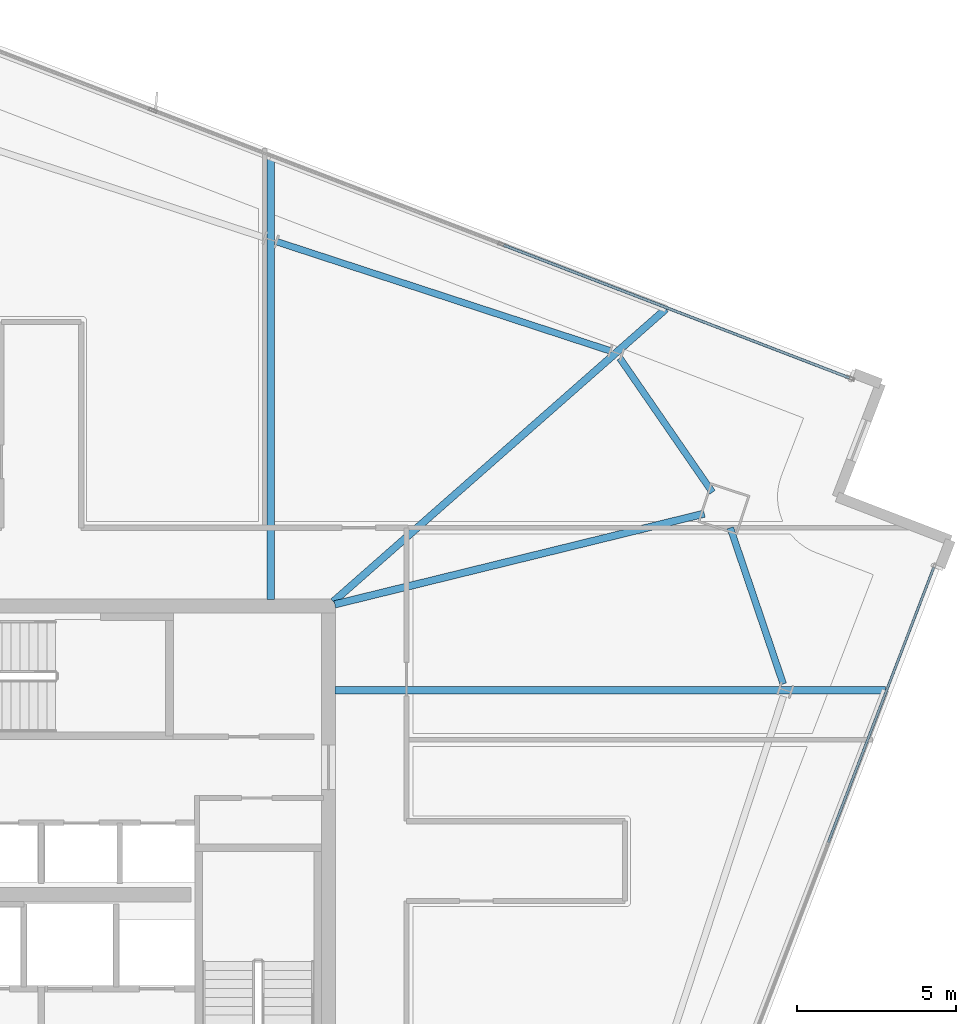
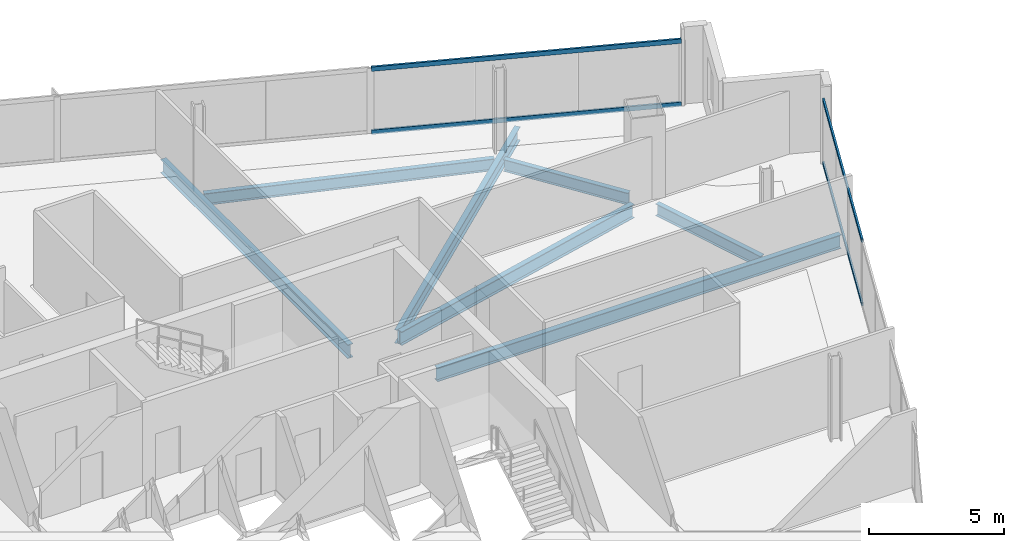
# One storey, part 15 of 27: 7 beams, 4 members, 2 elements without a shape of their own.
"""IFC4 building model written with IfcOpenShell, lengths in metres."""

from ifc_helpers import new_model, si_unit, direction, frame, origin, origin_2d, place, context, subcontext, project, spatial, hollow_rectangle, i_section, extrude, material, material_profile, profile_set, type_object, element, aggregate, save


model = new_model("IFC4")

# Units and contexts
model_context = context("Model", 3, precision=1e-05, world=origin(), true_north=direction((0.0, 1.0)))
body_context = subcontext(model_context, "Body", "Model", "MODEL_VIEW")
ifc_project = project(units=[si_unit("LENGTHUNIT", "METRE"), si_unit("AREAUNIT", "SQUARE_METRE"), si_unit("VOLUMEUNIT", "CUBIC_METRE"), si_unit("PLANEANGLEUNIT", "RADIAN"), si_unit("MASSUNIT", "GRAM", prefix="KILO")], contexts=[model_context])

# Site, building, storey
site_placement = place(None, origin())
site = spatial("IfcSite", under=ifc_project, at=site_placement, CompositionType="ELEMENT")
building_placement = place(site_placement, origin())
building = spatial("IfcBuilding", under=site, at=building_placement, Name="Haldenkirk Collegiate Tower", CompositionType="ELEMENT")
storey_placement = place(building_placement, frame((0.0, 0.0, 259.949951171875)))
storey = spatial("IfcBuildingStorey", under=building, at=storey_placement, Name="L65", CompositionType="ELEMENT", Elevation=259.949951171875)

# Beams
ifc_material_1 = material(Name="Steel ASTM A992 Grade 50", Category="steel")
ifc_material_profile_1 = material_profile(ifc_material_1, i_section(OverallWidth=0.22998046875, OverallDepth=0.616943359375, WebThickness=0.01318359375, FlangeThickness=0.022216796875, at=origin_2d()), Name="W24X94")
ifc_profile_set_1 = profile_set([ifc_material_profile_1], Name="Steel ASTM A992 Grade 50")
beam_type_1 = type_object("IfcBeamType", Name="BM-GIRDER-W24X94", PredefinedType="BEAM", material=ifc_profile_set_1)
beam_1_placement = place(storey_placement, frame((56.783935546875, 36.893310546875, -0.578369140625), z_axis=(-0.971153636509, -0.238454637815, 0.0), x_axis=(0.238454637815, -0.971153636509, 0.0)))
element("IfcBeam", 1, at=beam_1_placement, inside=storey, type_object=beam_type_1, Name="L65 primary floor girder 02", PredefinedType="BEAM", context=body_context, shape_type="SweptSolid", body=[
    extrude(i_section(OverallWidth=0.22998046875, OverallDepth=0.616943359375, WebThickness=0.01318359375, FlangeThickness=0.022216796875, at=origin_2d()), origin(), (0.0, 0.0, 1.0), 11.9287109375),
])
beam_2_placement = place(storey_placement, frame((62.458251953125, 31.360107421875, -0.578369140625), z_axis=(-1.0, 0.0, 0.0), x_axis=(0.0, -1.0, 0.0)))
element("IfcBeam", 2, at=beam_2_placement, inside=storey, type_object=beam_type_1, Name="L65 primary floor girder 07", PredefinedType="BEAM", context=body_context, shape_type="SweptSolid", body=[
    extrude(i_section(OverallWidth=0.22998046875, OverallDepth=0.616943359375, WebThickness=0.01318359375, FlangeThickness=0.022216796875, at=origin_2d()), origin(), (0.0, 0.0, 1.0), 17.253173828125),
])
beam_3_placement = place(storey_placement, frame((55.581298828125, 43.3125, -0.578369140625), z_axis=(-0.750684576972, -0.660660779747, 0.0), x_axis=(0.660660779747, -0.750684576972, 0.0)))
element("IfcBeam", 3, at=beam_3_placement, inside=storey, type_object=beam_type_1, Name="L65 primary floor girder 08", PredefinedType="BEAM", context=body_context, shape_type="SweptSolid", body=[
    extrude(i_section(OverallWidth=0.22998046875, OverallDepth=0.616943359375, WebThickness=0.01318359375, FlangeThickness=0.022216796875, at=origin_2d()), origin(), (0.0, 0.0, 1.0), 13.890625),
])
beam_4_placement = place(storey_placement, frame((43.18994140625, 48.069091796875, -0.578369140625), z_axis=(0.0, -1.0, 0.0), x_axis=(1.0, 0.0, 0.0)))
element("IfcBeam", 4, at=beam_4_placement, inside=storey, type_object=beam_type_1, Name="L65 primary floor girder 09", PredefinedType="BEAM", context=body_context, shape_type="SweptSolid", body=[
    extrude(i_section(OverallWidth=0.22998046875, OverallDepth=0.616943359375, WebThickness=0.01318359375, FlangeThickness=0.022216796875, at=origin_2d()), origin(), (0.0, 0.0, 1.0), 13.864013671875),
])
ifc_material_profile_2 = material_profile(ifc_material_1, i_section(OverallWidth=0.2099609375, OverallDepth=0.537109375, WebThickness=0.010986328125, FlangeThickness=0.017333984375, at=origin_2d()), Name="W21X68")
ifc_profile_set_2 = profile_set([ifc_material_profile_2], Name="Steel ASTM A992 Grade 50")
beam_type_2 = type_object("IfcBeamType", Name="BM-SPANDREL-W21X68", PredefinedType="SPANDREL", material=ifc_profile_set_2)
beam_5_placement = place(storey_placement, frame((59.258544921875, 31.5517578125, -0.538330078125), z_axis=(-0.321225245884, 0.947002820168, 0.0), x_axis=(-0.947002820168, -0.321225245884, 0.0)))
element("IfcBeam", 5, at=beam_5_placement, inside=storey, type_object=beam_type_2, Name="L65 perimeter spandrel beam 04", PredefinedType="SPANDREL", context=body_context, shape_type="SweptSolid", body=[
    extrude(i_section(OverallWidth=0.2099609375, OverallDepth=0.537109375, WebThickness=0.010986328125, FlangeThickness=0.017333984375, at=origin_2d()), origin(), (0.0, 0.0, 1.0), 5.1689453125),
])
beam_6_placement = place(storey_placement, frame((57.037841796875, 37.56201171875, -0.538330078125), z_axis=(-0.568092176681, 0.822964931692, 0.0), x_axis=(-0.822964931692, -0.568092176681, 0.0)))
element("IfcBeam", 6, at=beam_6_placement, inside=storey, type_object=beam_type_2, Name="L65 perimeter spandrel beam 05", PredefinedType="SPANDREL", context=body_context, shape_type="SweptSolid", body=[
    extrude(i_section(OverallWidth=0.2099609375, OverallDepth=0.537109375, WebThickness=0.010986328125, FlangeThickness=0.017333984375, at=origin_2d()), origin(), (0.0, 0.0, 1.0), 5.11328125),
])
beam_7_placement = place(storey_placement, frame((53.825439453125, 41.99951171875, -0.538330078125), z_axis=(-0.950402144652, 0.311023734531, 0.0), x_axis=(-0.311023734531, -0.950402144652, 0.0)))
element("IfcBeam", 7, at=beam_7_placement, inside=storey, type_object=beam_type_2, Name="L65 perimeter spandrel beam 06", PredefinedType="SPANDREL", context=body_context, shape_type="SweptSolid", body=[
    extrude(i_section(OverallWidth=0.2099609375, OverallDepth=0.537109375, WebThickness=0.010986328125, FlangeThickness=0.017333984375, at=origin_2d()), origin(), (0.0, 0.0, 1.0), 10.98779296875),
])

# Curtain wall, members
ifc_material_2 = material(Name="Anodised architectural bronze aluminium", Category="aluminium")
curtain_wall_type_1 = type_object("IfcCurtainWallType", Name="CW-SYS2-CONCAVE", PredefinedType="USERDEFINED", material=ifc_material_2)
curtain_wall_1_placement = place(storey_placement, origin())
curtain_wall_1 = element("IfcCurtainWall", 8, at=curtain_wall_1_placement, inside=storey, type_object=curtain_wall_type_1, Name="L65 South concave recessed bronze-anodised curtain wall", ObjectType="UNITISED CURTAIN WALL", PredefinedType="USERDEFINED")
ifc_material_profile_3 = material_profile(ifc_material_2, hollow_rectangle(XDim=0.074951171875, YDim=0.159912109375, WallThickness=0.0048828125, at=origin_2d()), Name="CW-TRN-02")
ifc_profile_set_3 = profile_set([ifc_material_profile_3], Name="Anodised architectural bronze aluminium")
member_type_1 = type_object("IfcMemberType", Name="CW-TRN-02", PredefinedType="USERDEFINED", material=ifc_profile_set_3)
member_1_placement = place(storey_placement, frame((63.97900390625, 35.2099609375, 0.03759765625), z_axis=(-0.358376859984, -0.933577006052, 0.0), x_axis=(0.933577006052, -0.358376859984, 0.0)))
member_1 = element("IfcMember", 9, at=member_1_placement, type_object=member_type_1, Name="CW-02 transom 1.1", ObjectType="TRANSOM", PredefinedType="USERDEFINED", context=body_context, shape_type="SweptSolid", body=[
    extrude(hollow_rectangle(XDim=0.074951171875, YDim=0.159912109375, WallThickness=0.0048828125, at=origin_2d()), origin(), (0.0, 0.0, 1.0), 9.237548828125),
])
member_2_placement = place(storey_placement, frame((63.97900390625, 35.2099609375, 2.900634765625), z_axis=(-0.358376859984, -0.933577006052, 0.0), x_axis=(0.933577006052, -0.358376859984, 0.0)))
member_2 = element("IfcMember", 10, at=member_2_placement, type_object=member_type_1, Name="CW-02 transom 1.2", ObjectType="TRANSOM", PredefinedType="USERDEFINED", context=body_context, shape_type="SweptSolid", body=[
    extrude(hollow_rectangle(XDim=0.074951171875, YDim=0.159912109375, WallThickness=0.0048828125, at=origin_2d()), origin(), (0.0, 0.0, 1.0), 9.237548828125),
])
aggregate(curtain_wall_1, [member_1, member_2])

curtain_wall_type_2 = type_object("IfcCurtainWallType", Name="CW-SYS1B-CONVEX-HI", PredefinedType="USERDEFINED", material=ifc_material_2)
curtain_wall_2_placement = place(storey_placement, origin())
curtain_wall_2 = element("IfcCurtainWall", 11, at=curtain_wall_2_placement, inside=storey, type_object=curtain_wall_type_2, Name="L65 Upper tower high-wind convex bronze unitised curtain wall", ObjectType="UNITISED CURTAIN WALL", PredefinedType="USERDEFINED")
ifc_material_profile_4 = material_profile(ifc_material_2, hollow_rectangle(XDim=0.0849609375, YDim=0.199951171875, WallThickness=0.0048828125, at=origin_2d()), Name="CW-TRN-1B")
ifc_profile_set_4 = profile_set([ifc_material_profile_4], Name="Anodised architectural bronze aluminium")
member_type_2 = type_object("IfcMemberType", Name="CW-TRN-1B", PredefinedType="USERDEFINED", material=ifc_profile_set_4)
member_3_placement = place(storey_placement, frame((50.491455078125, 45.309326171875, 0.04248046875), z_axis=(0.93358232485, -0.358363004127, 0.0), x_axis=(0.358363004127, 0.93358232485, 0.0)))
member_3 = element("IfcMember", 12, at=member_3_placement, type_object=member_type_2, Name="CW-1B transom 3.1", ObjectType="TRANSOM", PredefinedType="USERDEFINED", context=body_context, shape_type="SweptSolid", body=[
    extrude(hollow_rectangle(XDim=0.0849609375, YDim=0.199951171875, WallThickness=0.0048828125, at=origin_2d()), origin(), (0.0, 0.0, 1.0), 11.60595703125),
])
member_4_placement = place(storey_placement, frame((50.491455078125, 45.309326171875, 2.8955078125), z_axis=(0.93358232485, -0.358363004127, 0.0), x_axis=(0.358363004127, 0.93358232485, 0.0)))
member_4 = element("IfcMember", 13, at=member_4_placement, type_object=member_type_2, Name="CW-1B transom 3.2", ObjectType="TRANSOM", PredefinedType="USERDEFINED", context=body_context, shape_type="SweptSolid", body=[
    extrude(hollow_rectangle(XDim=0.0849609375, YDim=0.199951171875, WallThickness=0.0048828125, at=origin_2d()), origin(), (0.0, 0.0, 1.0), 11.60595703125),
])
aggregate(curtain_wall_2, [member_3, member_4])

save(model, "model.ifc")
